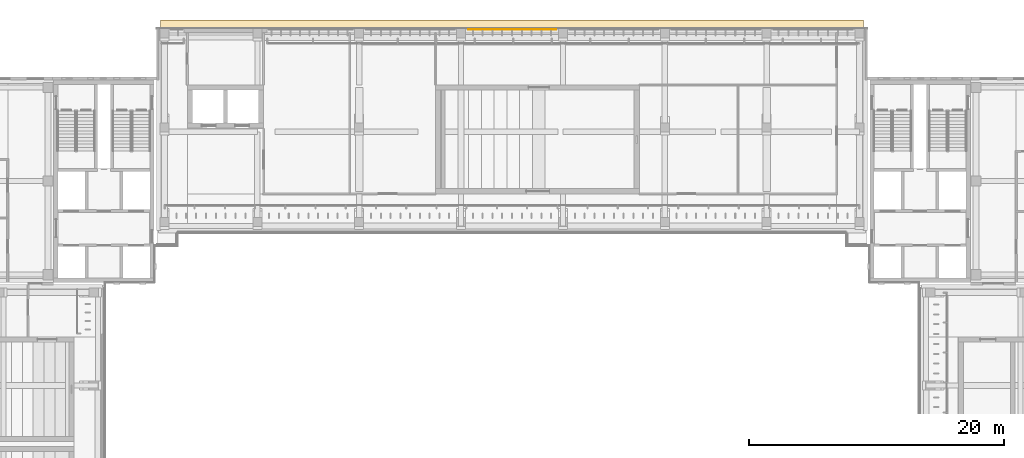
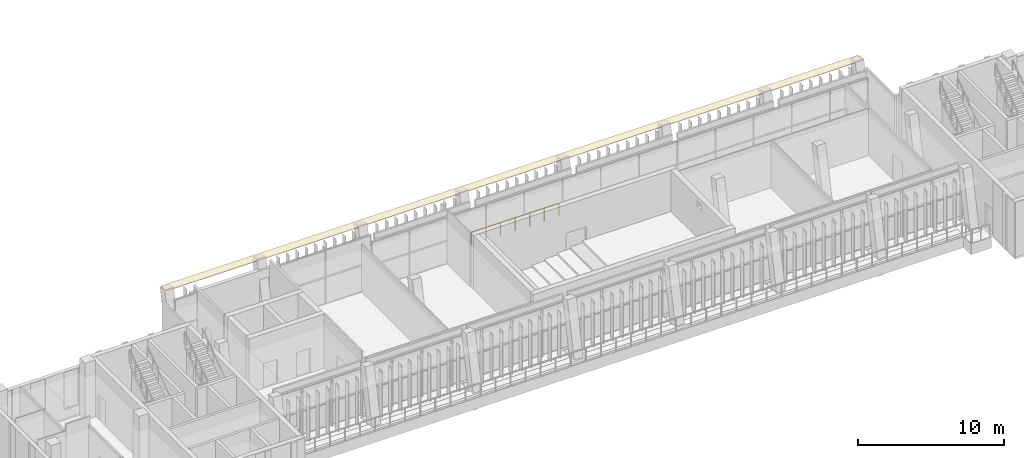
# One storey, part 69 of 74: 1 covering, 1 railing.
"""IFC4 building model written with IfcOpenShell, lengths in metres."""

from ifc_helpers import new_model, si_unit, direction, frame, frame_2d, origin, origin_2d, place, context, subcontext, project, spatial, rectangle, circle, extrude, material, layer, layer_set, type_object, element, save


model = new_model("IFC4")

# Units and contexts
model_context = context("Model", 3, precision=1e-05, world=origin(), true_north=direction((0.0, 1.0)))
body_context = subcontext(model_context, "Body", "Model", "MODEL_VIEW")
ifc_project = project(units=[si_unit("LENGTHUNIT", "METRE"), si_unit("AREAUNIT", "SQUARE_METRE"), si_unit("VOLUMEUNIT", "CUBIC_METRE"), si_unit("PLANEANGLEUNIT", "RADIAN"), si_unit("MASSUNIT", "GRAM", prefix="KILO")], contexts=[model_context])

# Site, building, storey
site_placement = place(None, origin())
site = spatial("IfcSite", under=ifc_project, at=site_placement, CompositionType="ELEMENT")
building_placement = place(site_placement, origin())
building = spatial("IfcBuilding", under=site, at=building_placement, Name="Lantern Court Media Centre", CompositionType="ELEMENT")
storey_placement = place(building_placement, frame((0.0, 0.0, 19.199951171875)))
storey = spatial("IfcBuildingStorey", under=building, at=storey_placement, Name="L04", CompositionType="ELEMENT", Elevation=19.199951171875)

# Railing
ifc_material_1 = material(Name="Powder-coated steel", Category="steel")
railing_type = type_object("IfcRailingType", Name="Floor edge guard 1100", PredefinedType="GUARDRAIL", material=ifc_material_1)
railing_placement = place(storey_placement, frame((48.569091796875, 115.93994140625, 0.0)))
element("IfcRailing", 1, at=railing_placement, inside=storey, type_object=railing_type, Name="L04 edge guard 132", PredefinedType="GUARDRAIL", context=body_context, shape_type="SweptSolid", body=[
    extrude(circle(Radius=0.02392578125, at=origin_2d()), frame((0.0, 0.0, 1.076171875), z_axis=(1.0, 0.0, 0.0), x_axis=(0.0, 1.0, 0.0)), (0.0, 0.0, 1.0), 6.89794921875),
    extrude(circle(Radius=0.02099609375, at=origin_2d()), origin(), (0.0, 0.0, 1.0), 1.052001953125),
    extrude(circle(Radius=0.02099609375, at=origin_2d()), frame((1.149658203125, 0.0, 0.0)), (0.0, 0.0, 1.0), 1.052001953125),
    extrude(circle(Radius=0.02099609375, at=origin_2d()), frame((2.29931640625, 0.0, 0.0)), (0.0, 0.0, 1.0), 1.052001953125),
    extrude(circle(Radius=0.02099609375, at=origin_2d()), frame((3.448974609375, 0.0, 0.0)), (0.0, 0.0, 1.0), 1.052001953125),
    extrude(circle(Radius=0.02099609375, at=origin_2d()), frame((4.5986328125, 0.0, 0.0)), (0.0, 0.0, 1.0), 1.052001953125),
    extrude(circle(Radius=0.02099609375, at=origin_2d()), frame((5.748291015625, 0.0, 0.0)), (0.0, 0.0, 1.0), 1.052001953125),
    extrude(circle(Radius=0.02099609375, at=origin_2d()), frame((6.89794921875, 0.0, 0.0)), (0.0, 0.0, 1.0), 1.052001953125),
])

# Covering
ifc_material_2 = material(Name="White fibre cement soffit board")
ifc_layer = layer(ifc_material_2, 0.0400390625)
ifc_layer_set = layer_set([ifc_layer], Name="White fibre cement soffit board")
covering_type = type_object("IfcCoveringType", Name="Soffit lining 40", PredefinedType="CLADDING", material=ifc_layer_set)
covering_placement = place(storey_placement, frame((24.39990234375, 116.35009765625, 4.5400390625), z_axis=(0.0, 0.0, 1.0), x_axis=(1.0, 0.0, 0.0)))
element("IfcCovering", 2, at=covering_placement, inside=storey, type_object=covering_type, Name="Soffit lining N L04", PredefinedType="CLADDING", context=body_context, shape_type="SweptSolid", body=[
    extrude(rectangle(XDim=55.2001953125, YDim=0.699951171875, at=frame_2d((27.60009765625, 0.0))), origin(), (0.0, 0.0, 1.0), 0.0400390625),
])

save(model, "model.ifc")
